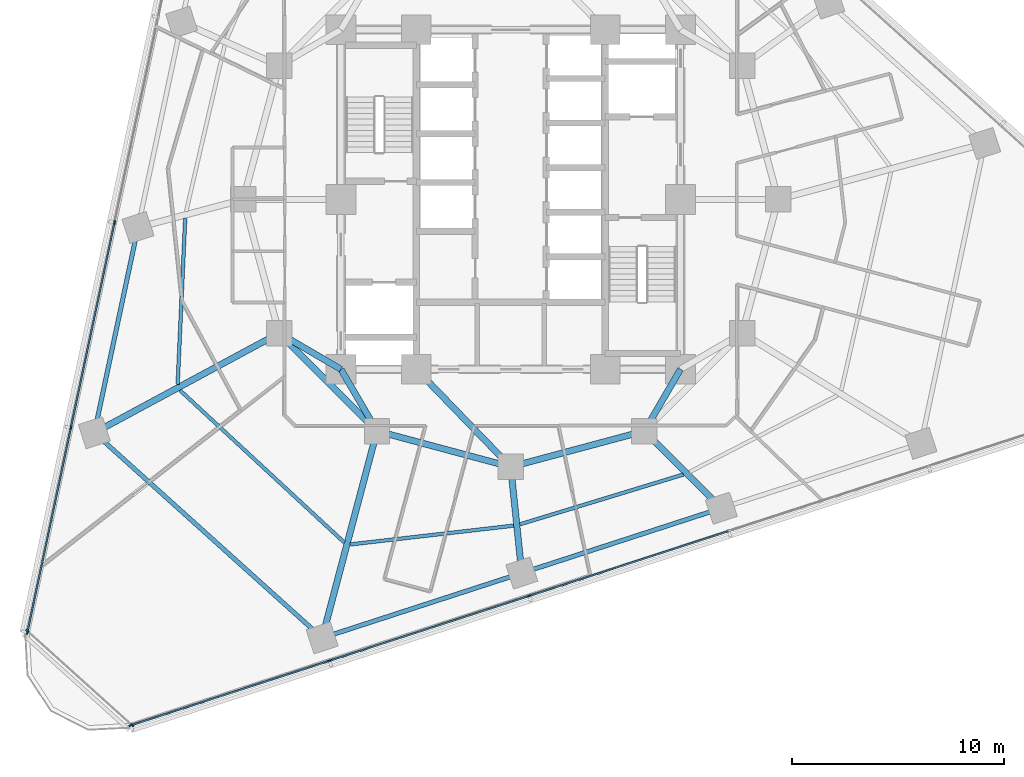
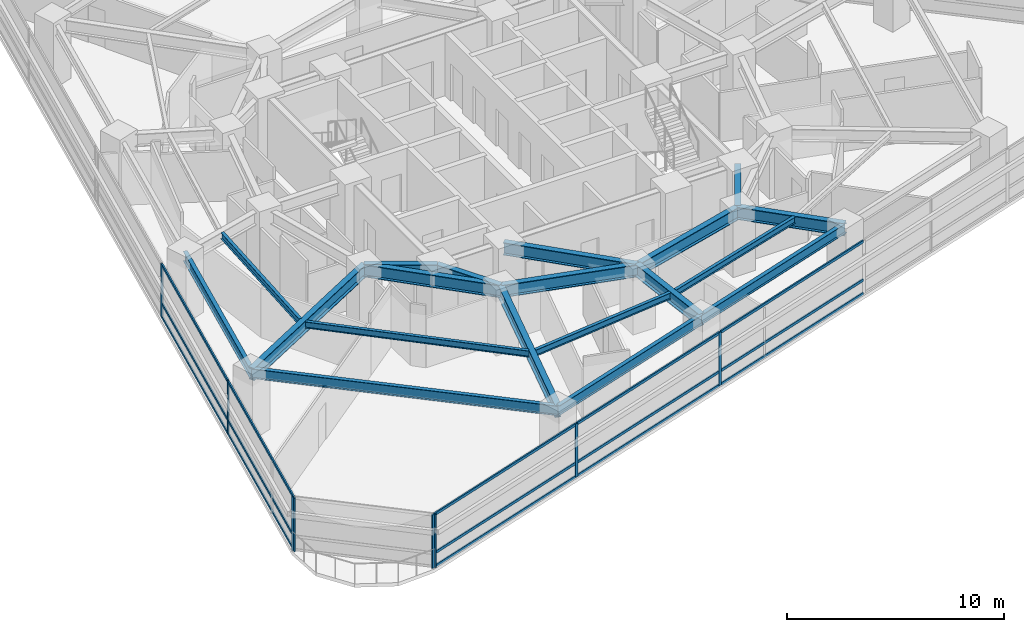
# One storey, part 2 of 13: 23 members, 19 beams, 3 elements without a shape of their own.
"""IFC4 building model written with IfcOpenShell, lengths in metres."""

import ifcopenshell
import ifcopenshell.guid

model = None  # the IFC model being written
_history = None  # IfcOwnerHistory: only IFC2X3 demands one
_inside = {}  # id of a spatial element -> (the spatial element, [elements in it])
_under = {}  # id of a project, library or spatial element -> (it, [spatial elements below it])
_declared = {}  # id of a project -> (the project, [libraries it declares])
_typed = {}  # id of a type object -> (the type object, [elements of that type])
_made_of = {}  # id of a material, layer set ... -> (it, [elements and type objects made of it])


def new_model(schema):
    """Start an empty IFC model of exactly this schema.

    Asked for "IFC4X3", IfcOpenShell would pick the latest addendum, in which some entities
    have other attributes; the version numbers below select the first issue.
    IFC2X3 requires an IfcOwnerHistory on every rooted entity: one is made here for all.
    """
    global model, _history
    if schema == "IFC4X3":
        model = ifcopenshell.file(schema_version=(4, 3, 0, 0))
    else:
        model = ifcopenshell.file(schema=schema)
    _inside.clear()
    _under.clear()
    _declared.clear()
    _typed.clear()
    _made_of.clear()
    _history = None
    if model.schema == "IFC2X3":
        org = make("IfcOrganization", Name="unknown")
        user = make(
            "IfcPersonAndOrganization",
            ThePerson=make("IfcPerson", FamilyName="unknown"),
            TheOrganization=org,
        )
        app = make(
            "IfcApplication",
            ApplicationDeveloper=org,
            Version="unknown",
            ApplicationFullName="unknown",
            ApplicationIdentifier="unknown",
        )
        _history = make(
            "IfcOwnerHistory",
            OwningUser=user,
            OwningApplication=app,
            ChangeAction="ADDED",
            CreationDate=0,
        )
    return model


def make(cls, **values):
    """One entity of the class cls with the attributes given. An attribute that is None is left unset."""
    return model.create_entity(
        cls, **{name: value for name, value in values.items() if value is not None}
    )


def rooted(cls, **values):
    """An entity with a GlobalId (a new one), such as an element, a storey or a relation."""
    return make(cls, GlobalId=ifcopenshell.guid.new(), OwnerHistory=_history, **values)


def si_unit(unit_type, name, prefix=None):
    """IfcSIUnit, for example si_unit("LENGTHUNIT", "METRE", prefix="MILLI")."""
    return make("IfcSIUnit", UnitType=unit_type, Prefix=prefix, Name=name)


def assignment(units):
    """IfcUnitAssignment: the units of a project."""
    return None if units is None else make("IfcUnitAssignment", Units=units)


def point(xyz):
    """IfcCartesianPoint."""
    return None if xyz is None else make("IfcCartesianPoint", Coordinates=xyz)


def direction(xyz):
    """IfcDirection."""
    return None if xyz is None else make("IfcDirection", DirectionRatios=xyz)


def frame(location, z_axis=None, x_axis=None):
    """IfcAxis2Placement3D, a coordinate frame: its origin and axes. An axis left out is left unset."""
    return make(
        "IfcAxis2Placement3D",
        Location=point(location),
        Axis=direction(z_axis),
        RefDirection=direction(x_axis),
    )


def frame_2d(location, x_axis=None):
    """IfcAxis2Placement2D, a coordinate frame in the plane: its origin and x axis."""
    return make(
        "IfcAxis2Placement2D", Location=point(location), RefDirection=direction(x_axis)
    )


def origin():
    """The frame at (0, 0, 0) with its axes left unset."""
    return frame((0.0, 0.0, 0.0))


def origin_2d():
    """The frame at (0, 0) in the plane with its x axis left unset."""
    return frame_2d((0.0, 0.0))


def place(relative_to, where):
    """IfcLocalPlacement: puts the frame where relative to a parent placement (None: the world)."""
    return make(
        "IfcLocalPlacement", PlacementRelTo=relative_to, RelativePlacement=where
    )


def context(
    kind, dimensions, precision=None, world=None, true_north=None, identifier=None
):
    """IfcGeometricRepresentationContext, for example the 3D "Model" context."""
    return make(
        "IfcGeometricRepresentationContext",
        ContextIdentifier=identifier,
        ContextType=kind,
        CoordinateSpaceDimension=dimensions,
        Precision=precision,
        WorldCoordinateSystem=world,
        TrueNorth=true_north,
    )


def subcontext(parent, identifier, kind, view, scale=None):
    """IfcGeometricRepresentationSubContext, for example "Body" below "Model"."""
    return make(
        "IfcGeometricRepresentationSubContext",
        ContextIdentifier=identifier,
        ContextType=kind,
        ParentContext=parent,
        TargetScale=scale,
        TargetView=view,
    )


def project(units=None, contexts=None):
    """IfcProject with its units and contexts."""
    return rooted(
        "IfcProject",
        Name="project",
        RepresentationContexts=contexts,
        UnitsInContext=assignment(units),
    )


def spatial(cls, under=None, at=None, **own):
    """A site, building, storey or space (cls), placed at a placement, below another one or the project."""
    s = rooted(cls, ObjectPlacement=at, **own)
    if under is not None:
        _under.setdefault(under.id(), (under, []))[1].append(s)
    return s


def profile(cls, at=None, kind="AREA", **sizes):
    """A parametric profile (cls). Its sizes go by their IFC names, for example OverallWidth=200.0."""
    return make(cls, ProfileType=kind, Position=at, **sizes)


def rectangle(**sizes):
    """IfcRectangleProfileDef."""
    return profile("IfcRectangleProfileDef", **sizes)


def i_section(**sizes):
    """IfcIShapeProfileDef."""
    return profile("IfcIShapeProfileDef", **sizes)


def extrude(swept, where, along, depth):
    """IfcExtrudedAreaSolid: the profile swept, set in the frame where, extruded along a direction by depth."""
    return make(
        "IfcExtrudedAreaSolid",
        SweptArea=swept,
        Position=where,
        ExtrudedDirection=direction(along),
        Depth=depth,
    )


def shape(context_of_items, identifier, shape_type, items):
    """IfcShapeRepresentation: the items that make up one representation, for example the "Body"."""
    return make(
        "IfcShapeRepresentation",
        ContextOfItems=context_of_items,
        RepresentationIdentifier=identifier,
        RepresentationType=shape_type,
        Items=items,
    )


def material(Name=None, Category=None):
    """IfcMaterial."""
    return make("IfcMaterial", Name=Name, Category=Category)


def layer(
    of_material, thickness, ventilated=None, Name=None, Category=None, Priority=None
):
    """IfcMaterialLayer: one layer of a wall or slab, of a material (None: an air gap)."""
    return make(
        "IfcMaterialLayer",
        Material=of_material,
        LayerThickness=thickness,
        IsVentilated=ventilated,
        Name=Name,
        Category=Category,
        Priority=Priority,
    )


def layer_set(layers, Name=None):
    """IfcMaterialLayerSet."""
    return make("IfcMaterialLayerSet", MaterialLayers=layers, LayerSetName=Name)


def material_profile(
    of_material, cross_section, Name=None, Category=None, Priority=None
):
    """IfcMaterialProfile: a cross section and its material."""
    return make(
        "IfcMaterialProfile",
        Name=Name,
        Material=of_material,
        Profile=cross_section,
        Priority=Priority,
        Category=Category,
    )


def profile_set(profiles, Name=None, composite=None):
    """IfcMaterialProfileSet."""
    return make(
        "IfcMaterialProfileSet",
        Name=Name,
        MaterialProfiles=profiles,
        CompositeProfile=composite,
    )


def made_of(thing, what):
    """Note that an element or type object is made of a material, layer set ...; save() writes the relation."""
    if what is not None:
        _made_of.setdefault(what.id(), (what, []))[1].append(thing)
    return thing


def type_object(cls, material=None, **own):
    """A type object (cls), such as IfcWallType, which elements share."""
    return made_of(rooted(cls, **own), material)


def element(
    cls,
    number,
    at=None,
    inside=None,
    cuts=None,
    type_object=None,
    material=None,
    context=None,
    identifier="Body",
    shape_type=None,
    held_by="IfcProductDefinitionShape",
    body=None,
    shapes=None,
    **own,
):
    """One element of the class cls, such as IfcWall. Its Tag is "e" and its number.

    at: its placement. inside: the storey or other place that contains it. cuts: it is an
    opening in that element (IfcRelVoidsElement). A single representation is given by context,
    identifier, shape_type and body (its items); several are given by shapes. held_by: the class
    of the entity that holds the representations. save() writes the other relations.
    """
    e = rooted(cls, Tag="e%d" % number, ObjectPlacement=at, **own)
    if body is not None:
        shapes = [shape(context, identifier, shape_type, body)]
    if shapes is not None:
        e.Representation = make(held_by, Representations=shapes)
    if inside is not None:
        _inside.setdefault(inside.id(), (inside, []))[1].append(e)
    if cuts is not None:
        rooted(
            "IfcRelVoidsElement", RelatingBuildingElement=cuts, RelatedOpeningElement=e
        )
    if type_object is not None:
        _typed.setdefault(type_object.id(), (type_object, []))[1].append(e)
    return made_of(e, material)


def aggregate(whole, parts):
    """IfcRelAggregates: a whole, such as a stair, and the parts it consists of."""
    return rooted("IfcRelAggregates", RelatingObject=whole, RelatedObjects=parts)


def save(model, path):
    """Write the relations noted so far, then the file.

    IfcRelAggregates (storeys below a building ...), IfcRelContainedInSpatialStructure (elements
    in a storey), IfcRelDefinesByType, IfcRelAssociatesMaterial and IfcRelDeclares: one each for
    every whole, place, type object, material and project.
    """
    for whole, parts in _under.values():
        aggregate(whole, parts)
    for where, things in _inside.values():
        rooted(
            "IfcRelContainedInSpatialStructure",
            RelatedElements=things,
            RelatingStructure=where,
        )
    for kind, things in _typed.values():
        rooted("IfcRelDefinesByType", RelatedObjects=things, RelatingType=kind)
    for what, things in _made_of.values():
        rooted("IfcRelAssociatesMaterial", RelatedObjects=things, RelatingMaterial=what)
    for by, libraries in _declared.values():
        rooted("IfcRelDeclares", RelatingContext=by, RelatedDefinitions=libraries)
    model.write(path)


model = new_model("IFC4")

# Units and contexts
model_context = context("Model", 3, precision=1e-05, world=origin(), true_north=direction((0.0, 1.0)))
body_context = subcontext(model_context, "Body", "Model", "MODEL_VIEW")
ifc_project = project(units=[si_unit("LENGTHUNIT", "METRE"), si_unit("AREAUNIT", "SQUARE_METRE"), si_unit("VOLUMEUNIT", "CUBIC_METRE"), si_unit("PLANEANGLEUNIT", "RADIAN"), si_unit("MASSUNIT", "GRAM", prefix="KILO")], contexts=[model_context])

# Site, building, storey
site_placement = place(None, origin())
site = spatial("IfcSite", under=ifc_project, at=site_placement, CompositionType="ELEMENT")
building_placement = place(site_placement, origin())
building = spatial("IfcBuilding", under=site, at=building_placement, Name="Terralouvre Media Tower", CompositionType="ELEMENT")
storey_placement = place(building_placement, frame((0.0, 0.0, 108.800048828125)))
storey = spatial("IfcBuildingStorey", under=building, at=storey_placement, Name="L27", CompositionType="ELEMENT", Elevation=108.800048828125)

# Beams
ifc_material_1 = material(Name="Structural steel S355J2", Category="steel")
ifc_material_profile_1 = material_profile(ifc_material_1, i_section(OverallWidth=0.169921875, OverallDepth=0.360107421875, WebThickness=0.008056640625, FlangeThickness=0.0126953125, at=origin_2d()), Name="IPE 360")
ifc_profile_set_1 = profile_set([ifc_material_profile_1], Name="Structural steel S355J2")
beam_type_1 = type_object("IfcBeamType", Name="Composite Floor Joist J-IPE360 (IPE 360)", PredefinedType="JOIST", material=ifc_profile_set_1)
beam_1_placement = place(storey_placement, frame((-15.33544921875, -0.882080078125, 3.320068359375), z_axis=(-0.045464200768, -0.998965968614, 0.0), x_axis=(0.998965968614, -0.045464200768, 0.0)))
element("IfcBeam", 1, at=beam_1_placement, inside=storey, type_object=beam_type_1, Name="L27 Framing Beam JT-L27-01", PredefinedType="JOIST", context=body_context, shape_type="SweptSolid", body=[
    extrude(i_section(OverallWidth=0.169921875, OverallDepth=0.360107421875, WebThickness=0.008056640625, FlangeThickness=0.0126953125, at=origin_2d()), origin(), (0.0, 0.0, 1.0), 7.834716796875),
])
beam_2_placement = place(storey_placement, frame((-15.584716796875, -8.988037109375, 3.320068359375), z_axis=(0.733637623699, -0.679540901707, 0.0), x_axis=(0.679540901707, 0.733637623699, 0.0)))
element("IfcBeam", 2, at=beam_2_placement, inside=storey, type_object=beam_type_1, Name="L27 Framing Beam JT-L27-02", PredefinedType="JOIST", context=body_context, shape_type="SweptSolid", body=[
    extrude(i_section(OverallWidth=0.169921875, OverallDepth=0.360107421875, WebThickness=0.008056640625, FlangeThickness=0.0126953125, at=origin_2d()), origin(), (0.0, 0.0, 1.0), 10.551513671875),
])
beam_3_placement = place(storey_placement, frame((-7.5625, -16.254150390625, 3.320068359375), z_axis=(0.993452319542, 0.114247489235, 0.0), x_axis=(-0.114247489235, 0.993452319542, 0.0)))
element("IfcBeam", 3, at=beam_3_placement, inside=storey, type_object=beam_type_1, Name="L27 Framing Beam JT-L27-03", PredefinedType="JOIST", context=body_context, shape_type="SweptSolid", body=[
    extrude(i_section(OverallWidth=0.169921875, OverallDepth=0.360107421875, WebThickness=0.008056640625, FlangeThickness=0.0126953125, at=origin_2d()), origin(), (0.0, 0.0, 1.0), 7.750732421875),
])
beam_4_placement = place(storey_placement, frame((0.430908203125, -15.307373046875, 3.320068359375), z_axis=(0.95657137257, 0.29149821471, 0.0), x_axis=(-0.29149821471, 0.95657137257, 0.0)))
element("IfcBeam", 4, at=beam_4_placement, inside=storey, type_object=beam_type_1, Name="L27 Framing Beam JT-L27-04", PredefinedType="JOIST", context=body_context, shape_type="SweptSolid", body=[
    extrude(i_section(OverallWidth=0.169921875, OverallDepth=0.360107421875, WebThickness=0.008056640625, FlangeThickness=0.0126953125, at=origin_2d()), origin(), (0.0, 0.0, 1.0), 8.052001953125),
])

# Curtain wall, members
ifc_material_2 = material(Name="Low-iron laminated double glazing with solar-control coating", Category="glass")
ifc_layer_1 = layer(ifc_material_2, 0.1650390625, Name="Lower Media Tower Unitised Curtain Wall CW-02")
ifc_layer_set_1 = layer_set([ifc_layer_1], Name="Low-iron laminated double glazing with solar-control coating")
curtain_wall_type_1 = type_object("IfcCurtainWallType", Name="Lower Media Tower Unitised Curtain Wall CW-02", PredefinedType="NOTDEFINED", material=ifc_layer_set_1)
curtain_wall_1_placement = place(storey_placement, origin())
curtain_wall_1 = element("IfcCurtainWall", 5, at=curtain_wall_1_placement, inside=storey, type_object=curtain_wall_type_1, Name="L27 Facade Curtain Wall F0", PredefinedType="NOTDEFINED")
ifc_material_3 = material(Name="Anodised extruded aluminium 6063-T6", Category="aluminium")
ifc_material_profile_2 = material_profile(ifc_material_3, rectangle(XDim=0.074951171875, YDim=0.14990234375, at=origin_2d()), Name="ALU 75x150")
ifc_profile_set_2 = profile_set([ifc_material_profile_2], Name="Anodised extruded aluminium 6063-T6")
member_type_1 = type_object("IfcMemberType", Name="Curtain-Wall Horizontal Transom TR-150", PredefinedType="USERDEFINED", material=ifc_profile_set_2)
member_1_placement = place(storey_placement, frame((-17.866455078125, -24.765380859375, 0.037353515625), z_axis=(0.951048750541, 0.309040893886, 0.0), x_axis=(-0.309040893886, 0.951048750541, 0.0)))
member_1 = element("IfcMember", 6, at=member_1_placement, type_object=member_type_1, Name="CW-02 transom 1.1", ObjectType="TRANSOM", PredefinedType="USERDEFINED", context=body_context, shape_type="SweptSolid", body=[
    extrude(rectangle(XDim=0.074951171875, YDim=0.14990234375, at=origin_2d()), origin(), (0.0, 0.0, 1.0), 9.775390625),
])
member_2_placement = place(storey_placement, frame((-17.866455078125, -24.765380859375, 0.800048828125), z_axis=(0.951048750541, 0.309040893886, 0.0), x_axis=(-0.309040893886, 0.951048750541, 0.0)))
member_2 = element("IfcMember", 7, at=member_2_placement, type_object=member_type_1, Name="CW-02 transom 1.2", ObjectType="TRANSOM", PredefinedType="USERDEFINED", context=body_context, shape_type="SweptSolid", body=[
    extrude(rectangle(XDim=0.074951171875, YDim=0.14990234375, at=origin_2d()), origin(), (0.0, 0.0, 1.0), 9.775390625),
])
member_3_placement = place(storey_placement, frame((-17.866455078125, -24.765380859375, 2.96240234375), z_axis=(0.951048750541, 0.309040893886, 0.0), x_axis=(-0.309040893886, 0.951048750541, 0.0)))
member_3 = element("IfcMember", 8, at=member_3_placement, type_object=member_type_1, Name="CW-02 transom 1.3", ObjectType="TRANSOM", PredefinedType="USERDEFINED", context=body_context, shape_type="SweptSolid", body=[
    extrude(rectangle(XDim=0.074951171875, YDim=0.14990234375, at=origin_2d()), origin(), (0.0, 0.0, 1.0), 9.775390625),
])
member_4_placement = place(storey_placement, frame((-8.498291015625, -21.72119140625, 0.037353515625), z_axis=(0.951061672682, 0.309001124198, 0.0), x_axis=(-0.309001124198, 0.951061672682, 0.0)))
member_4 = element("IfcMember", 9, at=member_4_placement, type_object=member_type_1, Name="CW-02 transom 2.1", ObjectType="TRANSOM", PredefinedType="USERDEFINED", context=body_context, shape_type="SweptSolid", body=[
    extrude(rectangle(XDim=0.074951171875, YDim=0.14990234375, at=origin_2d()), origin(), (0.0, 0.0, 1.0), 9.81298828125),
])
member_5_placement = place(storey_placement, frame((-8.498291015625, -21.72119140625, 0.800048828125), z_axis=(0.951061672682, 0.309001124198, 0.0), x_axis=(-0.309001124198, 0.951061672682, 0.0)))
member_5 = element("IfcMember", 10, at=member_5_placement, type_object=member_type_1, Name="CW-02 transom 2.2", ObjectType="TRANSOM", PredefinedType="USERDEFINED", context=body_context, shape_type="SweptSolid", body=[
    extrude(rectangle(XDim=0.074951171875, YDim=0.14990234375, at=origin_2d()), origin(), (0.0, 0.0, 1.0), 9.81298828125),
])
member_6_placement = place(storey_placement, frame((-8.498291015625, -21.72119140625, 2.96240234375), z_axis=(0.951061672682, 0.309001124198, 0.0), x_axis=(-0.309001124198, 0.951061672682, 0.0)))
member_6 = element("IfcMember", 11, at=member_6_placement, type_object=member_type_1, Name="CW-02 transom 2.3", ObjectType="TRANSOM", PredefinedType="USERDEFINED", context=body_context, shape_type="SweptSolid", body=[
    extrude(rectangle(XDim=0.074951171875, YDim=0.14990234375, at=origin_2d()), origin(), (0.0, 0.0, 1.0), 9.81298828125),
])
member_7_placement = place(storey_placement, frame((0.90576171875, -18.665771484375, 0.037353515625), z_axis=(0.95105436096, 0.309023627736, 0.0), x_axis=(-0.309023627736, 0.95105436096, 0.0)))
member_7 = element("IfcMember", 12, at=member_7_placement, type_object=member_type_1, Name="CW-02 transom 3.1", ObjectType="TRANSOM", PredefinedType="USERDEFINED", context=body_context, shape_type="SweptSolid", body=[
    extrude(rectangle(XDim=0.074951171875, YDim=0.14990234375, at=origin_2d()), origin(), (0.0, 0.0, 1.0), 9.81298828125),
])
member_8_placement = place(storey_placement, frame((0.90576171875, -18.665771484375, 0.800048828125), z_axis=(0.95105436096, 0.309023627736, 0.0), x_axis=(-0.309023627736, 0.95105436096, 0.0)))
member_8 = element("IfcMember", 13, at=member_8_placement, type_object=member_type_1, Name="CW-02 transom 3.2", ObjectType="TRANSOM", PredefinedType="USERDEFINED", context=body_context, shape_type="SweptSolid", body=[
    extrude(rectangle(XDim=0.074951171875, YDim=0.14990234375, at=origin_2d()), origin(), (0.0, 0.0, 1.0), 9.81298828125),
])
member_9_placement = place(storey_placement, frame((0.90576171875, -18.665771484375, 2.96240234375), z_axis=(0.95105436096, 0.309023627736, 0.0), x_axis=(-0.309023627736, 0.95105436096, 0.0)))
member_9 = element("IfcMember", 14, at=member_9_placement, type_object=member_type_1, Name="CW-02 transom 3.3", ObjectType="TRANSOM", PredefinedType="USERDEFINED", context=body_context, shape_type="SweptSolid", body=[
    extrude(rectangle(XDim=0.074951171875, YDim=0.14990234375, at=origin_2d()), origin(), (0.0, 0.0, 1.0), 9.81298828125),
])

curtain_wall_2_placement = place(storey_placement, origin())
curtain_wall_2 = element("IfcCurtainWall", 15, at=curtain_wall_2_placement, inside=storey, type_object=curtain_wall_type_1, Name="L27 Facade Curtain Wall F2", PredefinedType="NOTDEFINED")
member_10_placement = place(storey_placement, frame((-18.673828125, -1.12353515625, 0.037353515625), z_axis=(-0.207914695346, -0.978146962097, 0.0), x_axis=(0.978146962097, -0.207914695346, 0.0)))
member_10 = element("IfcMember", 16, at=member_10_placement, type_object=member_type_1, Name="CW-02 transom 4.1", ObjectType="TRANSOM", PredefinedType="USERDEFINED", context=body_context, shape_type="SweptSolid", body=[
    extrude(rectangle(XDim=0.074951171875, YDim=0.14990234375, at=origin_2d()), origin(), (0.0, 0.0, 1.0), 9.81298828125),
])
member_11_placement = place(storey_placement, frame((-18.673828125, -1.12353515625, 0.800048828125), z_axis=(-0.207914695346, -0.978146962097, 0.0), x_axis=(0.978146962097, -0.207914695346, 0.0)))
member_11 = element("IfcMember", 17, at=member_11_placement, type_object=member_type_1, Name="CW-02 transom 4.2", ObjectType="TRANSOM", PredefinedType="USERDEFINED", context=body_context, shape_type="SweptSolid", body=[
    extrude(rectangle(XDim=0.074951171875, YDim=0.14990234375, at=origin_2d()), origin(), (0.0, 0.0, 1.0), 9.81298828125),
])
member_12_placement = place(storey_placement, frame((-18.673828125, -1.12353515625, 2.96240234375), z_axis=(-0.207914695346, -0.978146962097, 0.0), x_axis=(0.978146962097, -0.207914695346, 0.0)))
member_12 = element("IfcMember", 18, at=member_12_placement, type_object=member_type_1, Name="CW-02 transom 4.3", ObjectType="TRANSOM", PredefinedType="USERDEFINED", context=body_context, shape_type="SweptSolid", body=[
    extrude(rectangle(XDim=0.074951171875, YDim=0.14990234375, at=origin_2d()), origin(), (0.0, 0.0, 1.0), 9.81298828125),
])
member_13_placement = place(storey_placement, frame((-20.7294921875, -10.79541015625, 0.037353515625), z_axis=(-0.207911922732, -0.978147551439, 0.0), x_axis=(0.978147551439, -0.207911922732, 0.0)))
member_13 = element("IfcMember", 19, at=member_13_placement, type_object=member_type_1, Name="CW-02 transom 5.1", ObjectType="TRANSOM", PredefinedType="USERDEFINED", context=body_context, shape_type="SweptSolid", body=[
    extrude(rectangle(XDim=0.074951171875, YDim=0.14990234375, at=origin_2d()), origin(), (0.0, 0.0, 1.0), 9.775634765625),
])
member_14_placement = place(storey_placement, frame((-20.7294921875, -10.79541015625, 0.800048828125), z_axis=(-0.207911922732, -0.978147551439, 0.0), x_axis=(0.978147551439, -0.207911922732, 0.0)))
member_14 = element("IfcMember", 20, at=member_14_placement, type_object=member_type_1, Name="CW-02 transom 5.2", ObjectType="TRANSOM", PredefinedType="USERDEFINED", context=body_context, shape_type="SweptSolid", body=[
    extrude(rectangle(XDim=0.074951171875, YDim=0.14990234375, at=origin_2d()), origin(), (0.0, 0.0, 1.0), 9.775634765625),
])
member_15_placement = place(storey_placement, frame((-20.7294921875, -10.79541015625, 2.96240234375), z_axis=(-0.207911922732, -0.978147551439, 0.0), x_axis=(0.978147551439, -0.207911922732, 0.0)))
member_15 = element("IfcMember", 21, at=member_15_placement, type_object=member_type_1, Name="CW-02 transom 5.3", ObjectType="TRANSOM", PredefinedType="USERDEFINED", context=body_context, shape_type="SweptSolid", body=[
    extrude(rectangle(XDim=0.074951171875, YDim=0.14990234375, at=origin_2d()), origin(), (0.0, 0.0, 1.0), 9.775634765625),
])

# Member
ifc_material_4 = material(Name="Anodised extruded aluminium 6063-T6", Category="aluminium")
ifc_material_profile_3 = material_profile(ifc_material_4, rectangle(XDim=0.074951171875, YDim=0.179931640625, at=origin_2d()), Name="ALU 75x180")
ifc_profile_set_3 = profile_set([ifc_material_profile_3], Name="Anodised extruded aluminium 6063-T6")
member_type_2 = type_object("IfcMemberType", Name="Curtain-Wall Vertical Mullion ML-180", PredefinedType="MULLION", material=ifc_profile_set_3)
member_16_placement = place(storey_placement, frame((-17.90234375, -24.77685546875, 0.0), z_axis=(0.0, 0.0, 1.0), x_axis=(-0.309017015439, 0.951056509451, 0.0)))
member_16 = element("IfcMember", 22, at=member_16_placement, type_object=member_type_2, Name="CW-02 mullion 1", PredefinedType="MULLION", context=body_context, shape_type="SweptSolid", body=[
    extrude(rectangle(XDim=0.074951171875, YDim=0.179931640625, at=origin_2d()), origin(), (0.0, 0.0, 1.0), 3.0),
])

member_17_placement = place(storey_placement, frame((-8.533935546875, -21.73291015625, 0.0), z_axis=(0.0, 0.0, 1.0), x_axis=(-0.309017015439, 0.951056509451, 0.0)))
member_17 = element("IfcMember", 23, at=member_17_placement, type_object=member_type_2, Name="CW-02 mullion 2", PredefinedType="MULLION", context=body_context, shape_type="SweptSolid", body=[
    extrude(rectangle(XDim=0.074951171875, YDim=0.179931640625, at=origin_2d()), origin(), (0.0, 0.0, 1.0), 3.0),
])

member_18_placement = place(storey_placement, frame((0.8701171875, -18.67724609375, 0.0), z_axis=(0.0, 0.0, 1.0), x_axis=(-0.309017015439, 0.951056509451, 0.0)))
member_18 = element("IfcMember", 24, at=member_18_placement, type_object=member_type_2, Name="CW-02 mullion 3", PredefinedType="MULLION", context=body_context, shape_type="SweptSolid", body=[
    extrude(rectangle(XDim=0.074951171875, YDim=0.179931640625, at=origin_2d()), origin(), (0.0, 0.0, 1.0), 3.0),
])

aggregate(curtain_wall_1, [member_16, member_17, member_18, member_1, member_2, member_3, member_4, member_5, member_6, member_7, member_8, member_9])

member_19_placement = place(storey_placement, frame((-18.666015625, -1.0869140625, 0.0), z_axis=(0.0, 0.0, 1.0), x_axis=(0.978147610709, -0.207911643887, 0.0)))
member_19 = element("IfcMember", 25, at=member_19_placement, type_object=member_type_2, Name="CW-02 mullion 4", PredefinedType="MULLION", context=body_context, shape_type="SweptSolid", body=[
    extrude(rectangle(XDim=0.074951171875, YDim=0.179931640625, at=origin_2d()), origin(), (0.0, 0.0, 1.0), 3.0),
])

member_20_placement = place(storey_placement, frame((-20.7216796875, -10.7587890625, 0.0), z_axis=(0.0, 0.0, 1.0), x_axis=(0.978147610709, -0.207911643887, 0.0)))
member_20 = element("IfcMember", 26, at=member_20_placement, type_object=member_type_2, Name="CW-02 mullion 5", PredefinedType="MULLION", context=body_context, shape_type="SweptSolid", body=[
    extrude(rectangle(XDim=0.074951171875, YDim=0.179931640625, at=origin_2d()), origin(), (0.0, 0.0, 1.0), 3.0),
])

member_21_placement = place(storey_placement, frame((-22.769775390625, -20.39404296875, 0.0), z_axis=(0.0, 0.0, 1.0), x_axis=(0.978147610709, -0.207911643887, 0.0)))
member_21 = element("IfcMember", 27, at=member_21_placement, type_object=member_type_2, Name="CW-02 mullion 6", PredefinedType="MULLION", context=body_context, shape_type="SweptSolid", body=[
    extrude(rectangle(XDim=0.074951171875, YDim=0.179931640625, at=origin_2d()), origin(), (0.0, 0.0, 1.0), 3.0),
])

aggregate(curtain_wall_2, [member_19, member_20, member_21, member_10, member_11, member_12, member_13, member_14, member_15])

# Curtain wall, members
ifc_material_5 = material(Name="Low-iron laminated double glazing with solar-control coating", Category="glass")
ifc_layer_2 = layer(ifc_material_5, 0.1650390625, Name="Rounded Wind-Corner Curved Glazing CW-04")
ifc_layer_set_2 = layer_set([ifc_layer_2], Name="Low-iron laminated double glazing with solar-control coating")
curtain_wall_type_2 = type_object("IfcCurtainWallType", Name="Rounded Wind-Corner Curved Glazing CW-04", PredefinedType="NOTDEFINED", material=ifc_layer_set_2)
curtain_wall_3_placement = place(storey_placement, origin())
curtain_wall_3 = element("IfcCurtainWall", 28, at=curtain_wall_3_placement, inside=storey, type_object=curtain_wall_type_2, Name="L27 Rounded Wind-Corner Curtain Wall C0", PredefinedType="NOTDEFINED")
member_22_placement = place(storey_placement, frame((-22.7734375, -20.326904296875, 0.0), z_axis=(0.0, 0.0, 1.0), x_axis=(0.669130780732, 0.743144668471, 0.0)))
member_22 = element("IfcMember", 29, at=member_22_placement, type_object=member_type_2, Name="CW-04 mullion 1", PredefinedType="MULLION", context=body_context, shape_type="SweptSolid", body=[
    extrude(rectangle(XDim=0.074951171875, YDim=0.179931640625, at=origin_2d()), origin(), (0.0, 0.0, 1.0), 3.0),
])
member_23_placement = place(storey_placement, frame((-17.8349609375, -24.7734375, 0.0), z_axis=(0.0, 0.0, 1.0), x_axis=(0.669130780732, 0.743144668471, 0.0)))
member_23 = element("IfcMember", 30, at=member_23_placement, type_object=member_type_2, Name="CW-04 mullion 2", PredefinedType="MULLION", context=body_context, shape_type="SweptSolid", body=[
    extrude(rectangle(XDim=0.074951171875, YDim=0.179931640625, at=origin_2d()), origin(), (0.0, 0.0, 1.0), 3.0),
])
aggregate(curtain_wall_3, [member_22, member_23])

# Beams
ifc_material_6 = material(Name="Structural steel S355J2", Category="steel")
ifc_material_profile_4 = material_profile(ifc_material_6, i_section(OverallWidth=0.2099609375, OverallDepth=0.550048828125, WebThickness=0.010986328125, FlangeThickness=0.01708984375, at=origin_2d()), Name="IPE 550")
ifc_profile_set_4 = profile_set([ifc_material_profile_4], Name="Structural steel S355J2")
beam_type_2 = type_object("IfcBeamType", Name="Perimeter Spandrel Beam SPB-550 (IPE 550)", PredefinedType="SPANDREL", material=ifc_profile_set_4)
beam_5_placement = place(storey_placement, frame((-17.560791015625, -1.32177734375, 3.21484375), z_axis=(-0.207896554112, -0.978150818017, 0.0), x_axis=(0.978150818017, -0.207896554112, 0.0)))
element("IfcBeam", 31, at=beam_5_placement, inside=storey, type_object=beam_type_2, Name="L27 Framing Beam BM-L27-PR01", PredefinedType="SPANDREL", context=body_context, shape_type="SweptSolid", body=[
    extrude(i_section(OverallWidth=0.2099609375, OverallDepth=0.550048828125, WebThickness=0.010986328125, FlangeThickness=0.01708984375, at=origin_2d()), origin(), (0.0, 0.0, 1.0), 9.887939453125),
])
beam_6_placement = place(storey_placement, frame((-19.616455078125, -10.99365234375, 3.224853515625), z_axis=(0.743139474617, -0.669136549044, 0.0), x_axis=(0.669136549044, 0.743139474617, 0.0)))
element("IfcBeam", 32, at=beam_6_placement, inside=storey, type_object=beam_type_2, Name="L27 Framing Beam BM-L27-PR02", PredefinedType="SPANDREL", context=body_context, shape_type="SweptSolid", body=[
    extrude(i_section(OverallWidth=0.2099609375, OverallDepth=0.550048828125, WebThickness=0.010986328125, FlangeThickness=0.01708984375, at=origin_2d()), origin(), (0.0, 0.0, 1.0), 14.443359375),
])
for number, where, z_axis, x_axis, name in (
    (33, (-8.883056640625, -20.658203125, 3.224853515625), (0.95105348149, 0.309026334389, 0.0), (-0.309026334389, 0.95105348149, 0.0), "L27 Framing Beam BM-L27-PR03"),
    (34, (0.52099609375, -17.6025390625, 3.224853515625), (0.951060737836, 0.309004001506, 0.0), (-0.309004001506, 0.951060737836, 0.0), "L27 Framing Beam BM-L27-PR04"),
):
    element("IfcBeam", number, at=place(storey_placement, frame(where, z_axis=z_axis, x_axis=x_axis)), inside=storey, type_object=beam_type_2, Name=name, PredefinedType="SPANDREL", context=body_context, shape_type="SweptSolid", body=[
        extrude(i_section(OverallWidth=0.2099609375, OverallDepth=0.550048828125, WebThickness=0.010986328125, FlangeThickness=0.01708984375, at=origin_2d()), origin(), (0.0, 0.0, 1.0), 9.887939453125),
    ])
ifc_material_7 = material(Name="Structural steel S460M", Category="steel")
ifc_material_profile_5 = material_profile(ifc_material_7, i_section(OverallWidth=0.300048828125, OverallDepth=0.699951171875, WebThickness=0.01708984375, FlangeThickness=0.031982421875, at=origin_2d()), Name="HEB 700")
ifc_profile_set_5 = profile_set([ifc_material_profile_5], Name="Structural steel S460M")
beam_type_3 = type_object("IfcBeamType", Name="Primary Floor Girder B-HEB700 (HEB 700)", PredefinedType="BEAM", material=ifc_profile_set_5)
beam_7_placement = place(storey_placement, frame((-10.911865234375, -6.300048828125, 3.14990234375), z_axis=(0.707106781187, -0.707106781187, 0.0), x_axis=(0.707106781187, 0.707106781187, 0.0)))
element("IfcBeam", 35, at=beam_7_placement, inside=storey, type_object=beam_type_3, Name="L27 Framing Beam BM-L27-MR01", PredefinedType="BEAM", context=body_context, shape_type="SweptSolid", body=[
    extrude(i_section(OverallWidth=0.300048828125, OverallDepth=0.699951171875, WebThickness=0.01708984375, FlangeThickness=0.031982421875, at=origin_2d()), origin(), (0.0, 0.0, 1.0), 6.52197265625),
])
for number, where, z_axis, x_axis, name in (
    (36, (-6.300048828125, -10.911865234375, 3.14990234375), (0.965920481897, -0.258838989821, 0.0), (0.258838989821, 0.965920481897, 0.0), "L27 Framing Beam BM-L27-MR02"),
    (37, (0.0, -12.60009765625, 3.14990234375), (0.965920481897, 0.258838989821, 0.0), (-0.258838989821, 0.965920481897, 0.0), "L27 Framing Beam BM-L27-MR03"),
):
    element("IfcBeam", number, at=place(storey_placement, frame(where, z_axis=z_axis, x_axis=x_axis)), inside=storey, type_object=beam_type_3, Name=name, PredefinedType="BEAM", context=body_context, shape_type="SweptSolid", body=[
        extrude(i_section(OverallWidth=0.300048828125, OverallDepth=0.699951171875, WebThickness=0.01708984375, FlangeThickness=0.031982421875, at=origin_2d()), origin(), (0.0, 0.0, 1.0), 6.522216796875),
    ])
for number, where, z_axis, x_axis, name in (
    (38, (-8.0, -8.0, 3.14990234375), (-0.863602894532, 0.504172629717, 0.0), (-0.504172629717, -0.863602894532, 0.0), "L27 Framing Beam BM-L27-CM01"),
    (39, (-8.0, -8.0, 3.14990234375), (0.504172629717, -0.863602894532, 0.0), (0.863602894532, 0.504172629717, 0.0), "L27 Framing Beam BM-L27-CM02"),
):
    element("IfcBeam", number, at=place(storey_placement, frame(where, z_axis=z_axis, x_axis=x_axis)), inside=storey, type_object=beam_type_3, Name=name, PredefinedType="BEAM", context=body_context, shape_type="SweptSolid", body=[
        extrude(i_section(OverallWidth=0.300048828125, OverallDepth=0.699951171875, WebThickness=0.01708984375, FlangeThickness=0.031982421875, at=origin_2d()), origin(), (0.0, 0.0, 1.0), 3.371826171875),
    ])
beam_8_placement = place(storey_placement, frame((-4.449951171875, -8.0, 3.14990234375), z_axis=(0.695279715726, -0.718739255155, 0.0), x_axis=(0.718739255155, 0.695279715726, 0.0)))
element("IfcBeam", 40, at=beam_8_placement, inside=storey, type_object=beam_type_3, Name="L27 Framing Beam BM-L27-CM03", PredefinedType="BEAM", context=body_context, shape_type="SweptSolid", body=[
    extrude(i_section(OverallWidth=0.300048828125, OverallDepth=0.699951171875, WebThickness=0.01708984375, FlangeThickness=0.031982421875, at=origin_2d()), origin(), (0.0, 0.0, 1.0), 6.400146484375),
])
beam_9_placement = place(storey_placement, frame((8.0, -8.0, 3.14990234375), z_axis=(-0.504172629717, -0.863602894532, 0.0), x_axis=(0.863602894532, -0.504172629717, 0.0)))
element("IfcBeam", 41, at=beam_9_placement, inside=storey, type_object=beam_type_3, Name="L27 Framing Beam BM-L27-CM04", PredefinedType="BEAM", context=body_context, shape_type="SweptSolid", body=[
    extrude(i_section(OverallWidth=0.300048828125, OverallDepth=0.699951171875, WebThickness=0.01708984375, FlangeThickness=0.031982421875, at=origin_2d()), origin(), (0.0, 0.0, 1.0), 3.371826171875),
])
beam_10_placement = place(storey_placement, frame((-10.911865234375, -6.300048828125, 3.14990234375), z_axis=(-0.880195882447, -0.47461058619, 0.0), x_axis=(0.47461058619, -0.880195882447, 0.0)))
element("IfcBeam", 42, at=beam_10_placement, inside=storey, type_object=beam_type_3, Name="L27 Framing Beam BM-L27-RD02", PredefinedType="BEAM", context=body_context, shape_type="SweptSolid", body=[
    extrude(i_section(OverallWidth=0.300048828125, OverallDepth=0.699951171875, WebThickness=0.01708984375, FlangeThickness=0.031982421875, at=origin_2d()), origin(), (0.0, 0.0, 1.0), 9.889404296875),
])
beam_11_placement = place(storey_placement, frame((-6.300048828125, -10.911865234375, 3.14990234375), z_axis=(-0.25617939255, -0.966629256144, 0.0), x_axis=(0.966629256144, -0.25617939255, 0.0)))
element("IfcBeam", 43, at=beam_11_placement, inside=storey, type_object=beam_type_3, Name="L27 Framing Beam BM-L27-RD03", PredefinedType="BEAM", context=body_context, shape_type="SweptSolid", body=[
    extrude(i_section(OverallWidth=0.300048828125, OverallDepth=0.699951171875, WebThickness=0.01708984375, FlangeThickness=0.031982421875, at=origin_2d()), origin(), (0.0, 0.0, 1.0), 10.082763671875),
])
beam_12_placement = place(storey_placement, frame((0.0, -12.60009765625, 3.14990234375), z_axis=(0.103588076486, -0.994620284536, 0.0), x_axis=(0.994620284536, 0.103588076486, 0.0)))
element("IfcBeam", 44, at=beam_12_placement, inside=storey, type_object=beam_type_3, Name="L27 Framing Beam BM-L27-RD04", PredefinedType="BEAM", context=body_context, shape_type="SweptSolid", body=[
    extrude(i_section(OverallWidth=0.300048828125, OverallDepth=0.699951171875, WebThickness=0.01708984375, FlangeThickness=0.031982421875, at=origin_2d()), origin(), (0.0, 0.0, 1.0), 5.029541015625),
])
beam_13_placement = place(storey_placement, frame((6.300048828125, -10.911865234375, 3.14990234375), z_axis=(0.706107405732, -0.708104746185, 0.0), x_axis=(0.708104746185, 0.706107405732, 0.0)))
element("IfcBeam", 45, at=beam_13_placement, inside=storey, type_object=beam_type_3, Name="L27 Framing Beam BM-L27-RD05", PredefinedType="BEAM", context=body_context, shape_type="SweptSolid", body=[
    extrude(i_section(OverallWidth=0.300048828125, OverallDepth=0.699951171875, WebThickness=0.01708984375, FlangeThickness=0.031982421875, at=origin_2d()), origin(), (0.0, 0.0, 1.0), 5.1337890625),
])

save(model, "model.ifc")
